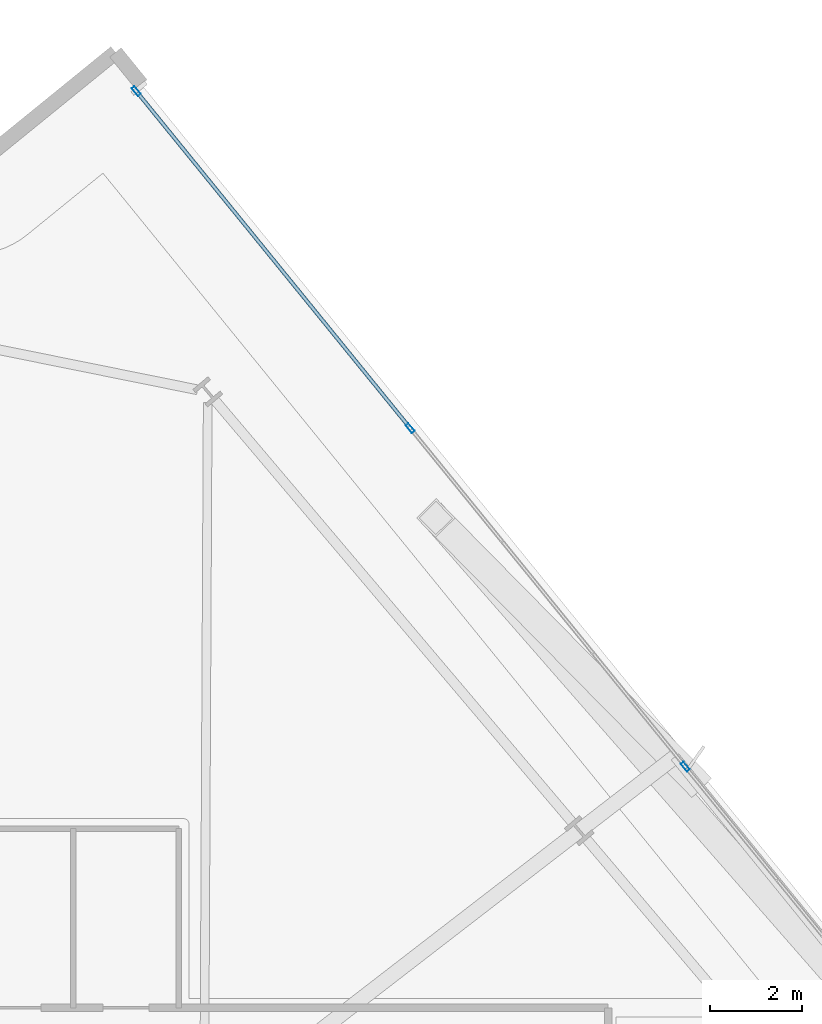
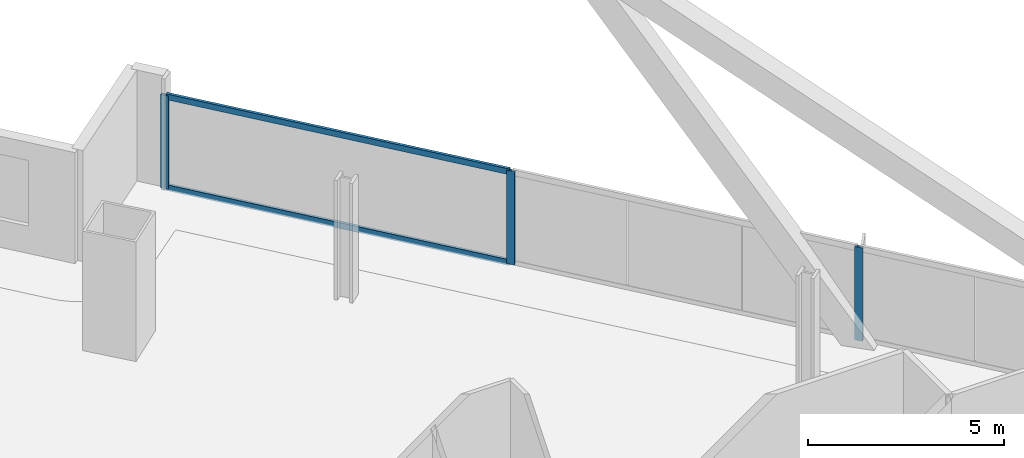
# One storey, part 24 of 36: 5 members, 1 element without a shape of its own.
"""IFC4 building model written with IfcOpenShell, lengths in metres."""

from ifc_helpers import new_model, si_unit, direction, frame, origin, origin_2d, place, context, subcontext, project, spatial, hollow_rectangle, extrude, material, material_profile, profile_set, type_object, element, aggregate, save


model = new_model("IFC4")

# Units and contexts
model_context = context("Model", 3, precision=1e-05, world=origin(), true_north=direction((0.0, 1.0)))
body_context = subcontext(model_context, "Body", "Model", "MODEL_VIEW")
ifc_project = project(units=[si_unit("LENGTHUNIT", "METRE"), si_unit("AREAUNIT", "SQUARE_METRE"), si_unit("VOLUMEUNIT", "CUBIC_METRE"), si_unit("PLANEANGLEUNIT", "RADIAN"), si_unit("MASSUNIT", "GRAM", prefix="KILO")], contexts=[model_context])

# Site, building, storey
site_placement = place(None, origin())
site = spatial("IfcSite", under=ifc_project, at=site_placement, CompositionType="ELEMENT")
building_placement = place(site_placement, origin())
building = spatial("IfcBuilding", under=site, at=building_placement, Name="Haldenkirk Collegiate Tower", CompositionType="ELEMENT")
storey_placement = place(building_placement, frame((0.0, 0.0, 159.449951171875)))
storey = spatial("IfcBuildingStorey", under=building, at=storey_placement, Name="L39", CompositionType="ELEMENT", Elevation=159.449951171875)

# Curtain wall, members
ifc_material = material(Name="Anodised architectural bronze aluminium", Category="aluminium")
curtain_wall_type = type_object("IfcCurtainWallType", Name="CW-SYS1-CONVEX-LOW", PredefinedType="USERDEFINED", material=ifc_material)
curtain_wall_placement = place(storey_placement, origin())
curtain_wall = element("IfcCurtainWall", 1, at=curtain_wall_placement, inside=storey, type_object=curtain_wall_type, Name="L39 Lower tower convex bronze-framed unitised curtain wall", ObjectType="UNITISED CURTAIN WALL", PredefinedType="USERDEFINED")
ifc_material_profile_1 = material_profile(ifc_material, hollow_rectangle(XDim=0.080078125, YDim=0.219970703125, WallThickness=0.0048828125, at=origin_2d()), Name="CW-MUL-1A")
ifc_profile_set_1 = profile_set([ifc_material_profile_1], Name="Anodised architectural bronze aluminium")
member_type_1 = type_object("IfcMemberType", Name="CW-MUL-1A", PredefinedType="MULLION", material=ifc_profile_set_1)
member_1_placement = place(storey_placement, frame((43.522216796875, 56.415771484375, 0.0), z_axis=(0.0, 0.0, 1.0), x_axis=(0.776046540641, 0.630675643068, 0.0)))
member_1 = element("IfcMember", 2, at=member_1_placement, type_object=member_type_1, Name="CW-1A mullion 1", PredefinedType="MULLION", context=body_context, shape_type="SweptSolid", body=[
    extrude(hollow_rectangle(XDim=0.080078125, YDim=0.219970703125, WallThickness=0.0048828125, at=origin_2d()), origin(), (0.0, 0.0, 1.0), 2.9111328125),
])
member_2_placement = place(storey_placement, frame((49.48828125, 49.074462890625, 0.0), z_axis=(0.0, 0.0, 1.0), x_axis=(0.776046540641, 0.630675643068, 0.0)))
member_2 = element("IfcMember", 3, at=member_2_placement, type_object=member_type_1, Name="CW-1A mullion 2", PredefinedType="MULLION", context=body_context, shape_type="SweptSolid", body=[
    extrude(hollow_rectangle(XDim=0.080078125, YDim=0.219970703125, WallThickness=0.0048828125, at=origin_2d()), origin(), (0.0, 0.0, 1.0), 2.9111328125),
])
member_3_placement = place(storey_placement, frame((55.479736328125, 41.701904296875, 0.0), z_axis=(0.0, 0.0, 1.0), x_axis=(0.776046540641, 0.630675643068, 0.0)))
member_3 = element("IfcMember", 4, at=member_3_placement, type_object=member_type_1, Name="CW-1A mullion 3", PredefinedType="MULLION", context=body_context, shape_type="SweptSolid", body=[
    extrude(hollow_rectangle(XDim=0.080078125, YDim=0.219970703125, WallThickness=0.0048828125, at=origin_2d()), origin(), (0.0, 0.0, 1.0), 2.9111328125),
])
ifc_material_profile_2 = material_profile(ifc_material, hollow_rectangle(XDim=0.080078125, YDim=0.179931640625, WallThickness=0.0048828125, at=origin_2d()), Name="CW-TRN-1A")
ifc_profile_set_2 = profile_set([ifc_material_profile_2], Name="Anodised architectural bronze aluminium")
member_type_2 = type_object("IfcMemberType", Name="CW-TRN-1A", PredefinedType="USERDEFINED", material=ifc_profile_set_2)
member_4_placement = place(storey_placement, frame((43.54736328125, 56.384765625, 0.0400390625), z_axis=(0.630678849667, -0.776043934699, 0.0), x_axis=(0.776043934699, 0.630678849667, 0.0)))
member_4 = element("IfcMember", 5, at=member_4_placement, type_object=member_type_2, Name="CW-1A transom 1.1", ObjectType="TRANSOM", PredefinedType="USERDEFINED", context=body_context, shape_type="SweptSolid", body=[
    extrude(hollow_rectangle(XDim=0.080078125, YDim=0.179931640625, WallThickness=0.0048828125, at=origin_2d()), origin(), (0.0, 0.0, 1.0), 9.380126953125),
])
member_5_placement = place(storey_placement, frame((43.54736328125, 56.384765625, 2.87109375), z_axis=(0.630678849667, -0.776043934699, 0.0), x_axis=(0.776043934699, 0.630678849667, 0.0)))
member_5 = element("IfcMember", 6, at=member_5_placement, type_object=member_type_2, Name="CW-1A transom 1.2", ObjectType="TRANSOM", PredefinedType="USERDEFINED", context=body_context, shape_type="SweptSolid", body=[
    extrude(hollow_rectangle(XDim=0.080078125, YDim=0.179931640625, WallThickness=0.0048828125, at=origin_2d()), origin(), (0.0, 0.0, 1.0), 9.380126953125),
])
aggregate(curtain_wall, [member_1, member_2, member_3, member_4, member_5])

save(model, "model.ifc")
